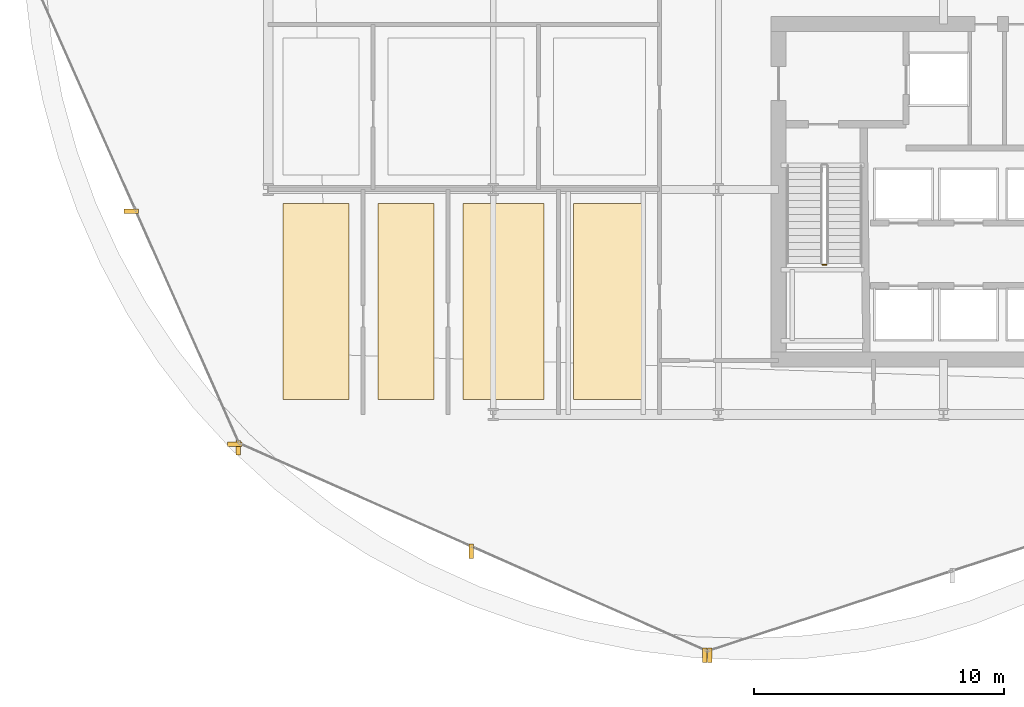
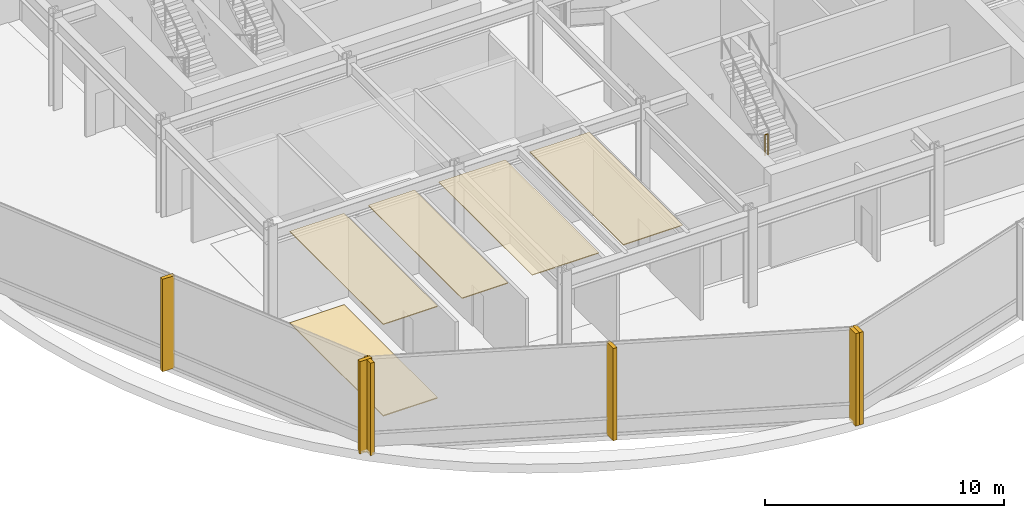
# One storey, part 32 of 39: 11 coverings, 1 railing.
"""IFC4 building model written with IfcOpenShell, lengths in metres."""

import ifcopenshell
import ifcopenshell.guid

model = None  # the IFC model being written
_history = None  # IfcOwnerHistory: only IFC2X3 demands one
_inside = {}  # id of a spatial element -> (the spatial element, [elements in it])
_under = {}  # id of a project, library or spatial element -> (it, [spatial elements below it])
_declared = {}  # id of a project -> (the project, [libraries it declares])
_typed = {}  # id of a type object -> (the type object, [elements of that type])
_made_of = {}  # id of a material, layer set ... -> (it, [elements and type objects made of it])


def new_model(schema):
    """Start an empty IFC model of exactly this schema.

    Asked for "IFC4X3", IfcOpenShell would pick the latest addendum, in which some entities
    have other attributes; the version numbers below select the first issue.
    IFC2X3 requires an IfcOwnerHistory on every rooted entity: one is made here for all.
    """
    global model, _history
    if schema == "IFC4X3":
        model = ifcopenshell.file(schema_version=(4, 3, 0, 0))
    else:
        model = ifcopenshell.file(schema=schema)
    _inside.clear()
    _under.clear()
    _declared.clear()
    _typed.clear()
    _made_of.clear()
    _history = None
    if model.schema == "IFC2X3":
        org = make("IfcOrganization", Name="unknown")
        user = make(
            "IfcPersonAndOrganization",
            ThePerson=make("IfcPerson", FamilyName="unknown"),
            TheOrganization=org,
        )
        app = make(
            "IfcApplication",
            ApplicationDeveloper=org,
            Version="unknown",
            ApplicationFullName="unknown",
            ApplicationIdentifier="unknown",
        )
        _history = make(
            "IfcOwnerHistory",
            OwningUser=user,
            OwningApplication=app,
            ChangeAction="ADDED",
            CreationDate=0,
        )
    return model


def make(cls, **values):
    """One entity of the class cls with the attributes given. An attribute that is None is left unset."""
    return model.create_entity(
        cls, **{name: value for name, value in values.items() if value is not None}
    )


def rooted(cls, **values):
    """An entity with a GlobalId (a new one), such as an element, a storey or a relation."""
    return make(cls, GlobalId=ifcopenshell.guid.new(), OwnerHistory=_history, **values)


def si_unit(unit_type, name, prefix=None):
    """IfcSIUnit, for example si_unit("LENGTHUNIT", "METRE", prefix="MILLI")."""
    return make("IfcSIUnit", UnitType=unit_type, Prefix=prefix, Name=name)


def assignment(units):
    """IfcUnitAssignment: the units of a project."""
    return None if units is None else make("IfcUnitAssignment", Units=units)


def point(xyz):
    """IfcCartesianPoint."""
    return None if xyz is None else make("IfcCartesianPoint", Coordinates=xyz)


def direction(xyz):
    """IfcDirection."""
    return None if xyz is None else make("IfcDirection", DirectionRatios=xyz)


def frame(location, z_axis=None, x_axis=None):
    """IfcAxis2Placement3D, a coordinate frame: its origin and axes. An axis left out is left unset."""
    return make(
        "IfcAxis2Placement3D",
        Location=point(location),
        Axis=direction(z_axis),
        RefDirection=direction(x_axis),
    )


def frame_2d(location, x_axis=None):
    """IfcAxis2Placement2D, a coordinate frame in the plane: its origin and x axis."""
    return make(
        "IfcAxis2Placement2D", Location=point(location), RefDirection=direction(x_axis)
    )


def origin():
    """The frame at (0, 0, 0) with its axes left unset."""
    return frame((0.0, 0.0, 0.0))


def origin_2d():
    """The frame at (0, 0) in the plane with its x axis left unset."""
    return frame_2d((0.0, 0.0))


def place(relative_to, where):
    """IfcLocalPlacement: puts the frame where relative to a parent placement (None: the world)."""
    return make(
        "IfcLocalPlacement", PlacementRelTo=relative_to, RelativePlacement=where
    )


def context(
    kind, dimensions, precision=None, world=None, true_north=None, identifier=None
):
    """IfcGeometricRepresentationContext, for example the 3D "Model" context."""
    return make(
        "IfcGeometricRepresentationContext",
        ContextIdentifier=identifier,
        ContextType=kind,
        CoordinateSpaceDimension=dimensions,
        Precision=precision,
        WorldCoordinateSystem=world,
        TrueNorth=true_north,
    )


def subcontext(parent, identifier, kind, view, scale=None):
    """IfcGeometricRepresentationSubContext, for example "Body" below "Model"."""
    return make(
        "IfcGeometricRepresentationSubContext",
        ContextIdentifier=identifier,
        ContextType=kind,
        ParentContext=parent,
        TargetScale=scale,
        TargetView=view,
    )


def project(units=None, contexts=None):
    """IfcProject with its units and contexts."""
    return rooted(
        "IfcProject",
        Name="project",
        RepresentationContexts=contexts,
        UnitsInContext=assignment(units),
    )


def spatial(cls, under=None, at=None, **own):
    """A site, building, storey or space (cls), placed at a placement, below another one or the project."""
    s = rooted(cls, ObjectPlacement=at, **own)
    if under is not None:
        _under.setdefault(under.id(), (under, []))[1].append(s)
    return s


def polyline(points):
    """IfcPolyline through the points."""
    return make("IfcPolyline", Points=[point(p) for p in points])


def profile(cls, at=None, kind="AREA", **sizes):
    """A parametric profile (cls). Its sizes go by their IFC names, for example OverallWidth=200.0."""
    return make(cls, ProfileType=kind, Position=at, **sizes)


def rectangle(**sizes):
    """IfcRectangleProfileDef."""
    return profile("IfcRectangleProfileDef", **sizes)


def circle(**sizes):
    """IfcCircleProfileDef."""
    return profile("IfcCircleProfileDef", **sizes)


def outline(outer, holes=None, kind="AREA"):
    """IfcArbitraryClosedProfileDef: a profile drawn as a closed curve; with holes, ...WithVoids."""
    if holes is None:
        return make("IfcArbitraryClosedProfileDef", ProfileType=kind, OuterCurve=outer)
    return make(
        "IfcArbitraryProfileDefWithVoids",
        ProfileType=kind,
        OuterCurve=outer,
        InnerCurves=holes,
    )


def extrude(swept, where, along, depth):
    """IfcExtrudedAreaSolid: the profile swept, set in the frame where, extruded along a direction by depth."""
    return make(
        "IfcExtrudedAreaSolid",
        SweptArea=swept,
        Position=where,
        ExtrudedDirection=direction(along),
        Depth=depth,
    )


def shape(context_of_items, identifier, shape_type, items):
    """IfcShapeRepresentation: the items that make up one representation, for example the "Body"."""
    return make(
        "IfcShapeRepresentation",
        ContextOfItems=context_of_items,
        RepresentationIdentifier=identifier,
        RepresentationType=shape_type,
        Items=items,
    )


def material(Name=None, Category=None):
    """IfcMaterial."""
    return make("IfcMaterial", Name=Name, Category=Category)


def layer(
    of_material, thickness, ventilated=None, Name=None, Category=None, Priority=None
):
    """IfcMaterialLayer: one layer of a wall or slab, of a material (None: an air gap)."""
    return make(
        "IfcMaterialLayer",
        Material=of_material,
        LayerThickness=thickness,
        IsVentilated=ventilated,
        Name=Name,
        Category=Category,
        Priority=Priority,
    )


def layer_set(layers, Name=None):
    """IfcMaterialLayerSet."""
    return make("IfcMaterialLayerSet", MaterialLayers=layers, LayerSetName=Name)


def made_of(thing, what):
    """Note that an element or type object is made of a material, layer set ...; save() writes the relation."""
    if what is not None:
        _made_of.setdefault(what.id(), (what, []))[1].append(thing)
    return thing


def type_object(cls, material=None, **own):
    """A type object (cls), such as IfcWallType, which elements share."""
    return made_of(rooted(cls, **own), material)


def element(
    cls,
    number,
    at=None,
    inside=None,
    cuts=None,
    type_object=None,
    material=None,
    context=None,
    identifier="Body",
    shape_type=None,
    held_by="IfcProductDefinitionShape",
    body=None,
    shapes=None,
    **own,
):
    """One element of the class cls, such as IfcWall. Its Tag is "e" and its number.

    at: its placement. inside: the storey or other place that contains it. cuts: it is an
    opening in that element (IfcRelVoidsElement). A single representation is given by context,
    identifier, shape_type and body (its items); several are given by shapes. held_by: the class
    of the entity that holds the representations. save() writes the other relations.
    """
    e = rooted(cls, Tag="e%d" % number, ObjectPlacement=at, **own)
    if body is not None:
        shapes = [shape(context, identifier, shape_type, body)]
    if shapes is not None:
        e.Representation = make(held_by, Representations=shapes)
    if inside is not None:
        _inside.setdefault(inside.id(), (inside, []))[1].append(e)
    if cuts is not None:
        rooted(
            "IfcRelVoidsElement", RelatingBuildingElement=cuts, RelatedOpeningElement=e
        )
    if type_object is not None:
        _typed.setdefault(type_object.id(), (type_object, []))[1].append(e)
    return made_of(e, material)


def aggregate(whole, parts):
    """IfcRelAggregates: a whole, such as a stair, and the parts it consists of."""
    return rooted("IfcRelAggregates", RelatingObject=whole, RelatedObjects=parts)


def save(model, path):
    """Write the relations noted so far, then the file.

    IfcRelAggregates (storeys below a building ...), IfcRelContainedInSpatialStructure (elements
    in a storey), IfcRelDefinesByType, IfcRelAssociatesMaterial and IfcRelDeclares: one each for
    every whole, place, type object, material and project.
    """
    for whole, parts in _under.values():
        aggregate(whole, parts)
    for where, things in _inside.values():
        rooted(
            "IfcRelContainedInSpatialStructure",
            RelatedElements=things,
            RelatingStructure=where,
        )
    for kind, things in _typed.values():
        rooted("IfcRelDefinesByType", RelatedObjects=things, RelatingType=kind)
    for what, things in _made_of.values():
        rooted("IfcRelAssociatesMaterial", RelatedObjects=things, RelatingMaterial=what)
    for by, libraries in _declared.values():
        rooted("IfcRelDeclares", RelatingContext=by, RelatedDefinitions=libraries)
    model.write(path)


model = new_model("IFC4")

# Units and contexts
model_context = context("Model", 3, precision=1e-05, world=origin(), true_north=direction((0.0, 1.0)))
body_context = subcontext(model_context, "Body", "Model", "MODEL_VIEW")
ifc_project = project(units=[si_unit("LENGTHUNIT", "METRE"), si_unit("AREAUNIT", "SQUARE_METRE"), si_unit("VOLUMEUNIT", "CUBIC_METRE"), si_unit("PLANEANGLEUNIT", "RADIAN"), si_unit("MASSUNIT", "GRAM", prefix="KILO")], contexts=[model_context])

# Site, building, storey
site_placement = place(None, origin())
site = spatial("IfcSite", under=ifc_project, at=site_placement, CompositionType="ELEMENT")
building_placement = place(site_placement, origin())
building = spatial("IfcBuilding", under=site, at=building_placement, Name="Solvaryn Broadcast Tower", CompositionType="ELEMENT")
storey_placement = place(building_placement, frame((0.0, 0.0, 84.10009765625)))
storey = spatial("IfcBuildingStorey", under=building, at=storey_placement, Name="L20", CompositionType="ELEMENT", Elevation=84.10009765625)

# Coverings
ifc_material_1 = material(Name="Micro-Perforated Acoustic Gypsum Ceiling", Category="concrete")
ifc_layer_1 = layer(ifc_material_1, 0.0400390625)
ifc_layer_set_1 = layer_set([ifc_layer_1], Name="CV-CEIL-ACOUSTIC")
covering_type_1 = type_object("IfcCoveringType", Name="CV-CEIL-ACOUSTIC", PredefinedType="CEILING", material=ifc_layer_set_1)
covering_1_placement = place(storey_placement, frame((0.0, 0.0, 4.679931640625)))
element("IfcCovering", 1, at=covering_1_placement, inside=storey, type_object=covering_type_1, Name="L20 Room Acoustic Ceiling 4", PredefinedType="CEILING", context=body_context, shape_type="SweptSolid", body=[
    extrude(outline(polyline([(9.60009765625, 9.60009765625), (12.22998046875, 9.60009765625), (12.22998046875, 17.429931640625), (9.60009765625, 17.429931640625), (9.60009765625, 9.60009765625)])), origin(), (0.0, 0.0, 1.0), 0.0400390625),
])
covering_2_placement = place(storey_placement, frame((0.0, 0.0, 4.679931640625)))
element("IfcCovering", 2, at=covering_2_placement, inside=storey, type_object=covering_type_1, Name="L20 Room Acoustic Ceiling 5", PredefinedType="CEILING", context=body_context, shape_type="SweptSolid", body=[
    extrude(outline(polyline([(13.39990234375, 9.60009765625), (15.6298828125, 9.60009765625), (15.6298828125, 17.429931640625), (13.39990234375, 17.429931640625), (13.39990234375, 9.60009765625)])), origin(), (0.0, 0.0, 1.0), 0.0400390625),
])
covering_3_placement = place(storey_placement, frame((0.0, 0.0, 4.679931640625)))
element("IfcCovering", 3, at=covering_3_placement, inside=storey, type_object=covering_type_1, Name="L20 Room Acoustic Ceiling 6", PredefinedType="CEILING", context=body_context, shape_type="SweptSolid", body=[
    extrude(outline(polyline([(16.800048828125, 9.60009765625), (20.030029296875, 9.60009765625), (20.030029296875, 17.429931640625), (16.800048828125, 17.429931640625), (16.800048828125, 9.60009765625)])), origin(), (0.0, 0.0, 1.0), 0.0400390625),
])
covering_4_placement = place(storey_placement, frame((0.0, 0.0, 4.679931640625)))
element("IfcCovering", 4, at=covering_4_placement, inside=storey, type_object=covering_type_1, Name="L20 Room Acoustic Ceiling 7", PredefinedType="CEILING", context=body_context, shape_type="SweptSolid", body=[
    extrude(outline(polyline([(21.199951171875, 9.60009765625), (24.080078125, 9.60009765625), (24.080078125, 17.429931640625), (21.199951171875, 17.429931640625), (21.199951171875, 9.60009765625)])), origin(), (0.0, 0.0, 1.0), 0.0400390625),
])
ifc_material_2 = material(Name="Newsroom Raised Data Access Flooring", Category="steel")
ifc_layer_2 = layer(ifc_material_2, 0.050048828125)
ifc_layer_set_2 = layer_set([ifc_layer_2], Name="CV-FLOOR-RAISED")
covering_type_2 = type_object("IfcCoveringType", Name="CV-FLOOR-RAISED", PredefinedType="FLOORING", material=ifc_layer_set_2)
covering_5_placement = place(storey_placement, origin())
element("IfcCovering", 5, at=covering_5_placement, inside=storey, type_object=covering_type_2, Name="L20 Room Acoustic Floor Finish 4", PredefinedType="FLOORING", context=body_context, shape_type="SweptSolid", body=[
    extrude(outline(polyline([(9.60009765625, 9.60009765625), (12.22998046875, 9.60009765625), (12.22998046875, 17.429931640625), (9.60009765625, 17.429931640625), (9.60009765625, 9.60009765625)])), origin(), (0.0, 0.0, 1.0), 0.0498046875),
])
ifc_material_3 = material(Name="Extruded Architectural Terracotta Fin", Category="masonry")
ifc_layer_3 = layer(ifc_material_3, 0.179931640625)
ifc_layer_set_3 = layer_set([ifc_layer_3], Name="CV-TC-FIN")
covering_type_3 = type_object("IfcCoveringType", Name="CV-TC-FIN", PredefinedType="USERDEFINED", material=ifc_layer_set_3)
for number, where, z_axis, x_axis, name in (
    (6, (3.527099609375, 17.130615234375, 0.0), (0.0, 0.0, 1.0), (1.0, 0.0, 0.0), "L20 Terracotta Vertical Fin FIN-L20-DR2-M01"),
    (7, (7.670654296875, 7.8017578125, 0.0), (0.0, 0.0, 1.0), (1.0, 0.0, 0.0), "L20 Terracotta Vertical Fin FIN-L20-DR2-M02"),
):
    element("IfcCovering", number, at=place(storey_placement, frame(where, z_axis=z_axis, x_axis=x_axis)), inside=storey, type_object=covering_type_3, Name=name, ObjectType="FIN", PredefinedType="USERDEFINED", context=body_context, shape_type="SweptSolid", body=[
        extrude(rectangle(XDim=0.580078125, YDim=0.179931640625, at=origin_2d()), origin(), (0.0, 0.0, 1.0), 4.719970703125),
    ])
for number, where, z_axis, x_axis, name in (
    (8, (7.8017578125, 7.670654296875, 0.0), (0.0, 0.0, 1.0), (1.0, 0.0, 0.0), "L20 Terracotta Vertical Fin FIN-L20-DR3-M00"),
    (9, (17.130615234375, 3.52734375, 0.0), (0.0, 0.0, 1.0), (1.0, 0.0, 0.0), "L20 Terracotta Vertical Fin FIN-L20-DR3-M01"),
    (10, (26.459716796875, -0.6162109375, 0.0), (0.0, 0.0, 1.0), (1.0, 0.0, 0.0), "L20 Terracotta Vertical Fin FIN-L20-DR3-M02"),
    (11, (26.644775390625, -0.625732421875, 0.0), (0.0, 0.0, 1.0), (1.0, 0.0, 0.0), "L20 Terracotta Vertical Fin FIN-L20-DR4-M00"),
):
    element("IfcCovering", number, at=place(storey_placement, frame(where, z_axis=z_axis, x_axis=x_axis)), inside=storey, type_object=covering_type_3, Name=name, ObjectType="FIN", PredefinedType="USERDEFINED", context=body_context, shape_type="SweptSolid", body=[
        extrude(rectangle(XDim=0.179931640625, YDim=0.580078125, at=origin_2d()), origin(), (0.0, 0.0, 1.0), 4.719970703125),
    ])

# Railing
ifc_material_4 = material(Name="Painted Steel Stair Well Guard", Category="steel")
railing_type = type_object("IfcRailingType", Name="RL-STAIR-GUARD", PredefinedType="BALUSTRADE", material=ifc_material_4)
railing_placement = place(storey_placement, frame((31.159912109375, 14.989990234375, 2.5)))
element("IfcRailing", 12, at=railing_placement, inside=storey, type_object=railing_type, Name="L20 ST3 stair guard 2", PredefinedType="BALUSTRADE", context=body_context, shape_type="SweptSolid", body=[
    extrude(circle(Radius=0.02392578125, at=origin_2d()), frame((0.0, 0.0, 1.076171875), z_axis=(1.0, 0.0, 0.0), x_axis=(0.0, 1.0, 0.0)), (0.0, 0.0, 1.0), 0.150146484375),
    extrude(circle(Radius=0.02099609375, at=origin_2d()), origin(), (0.0, 0.0, 1.0), 1.052001953125),
    extrude(circle(Radius=0.02099609375, at=origin_2d()), frame((0.150146484375, 0.0, 0.0)), (0.0, 0.0, 1.0), 1.052001953125),
])

save(model, "model.ifc")
